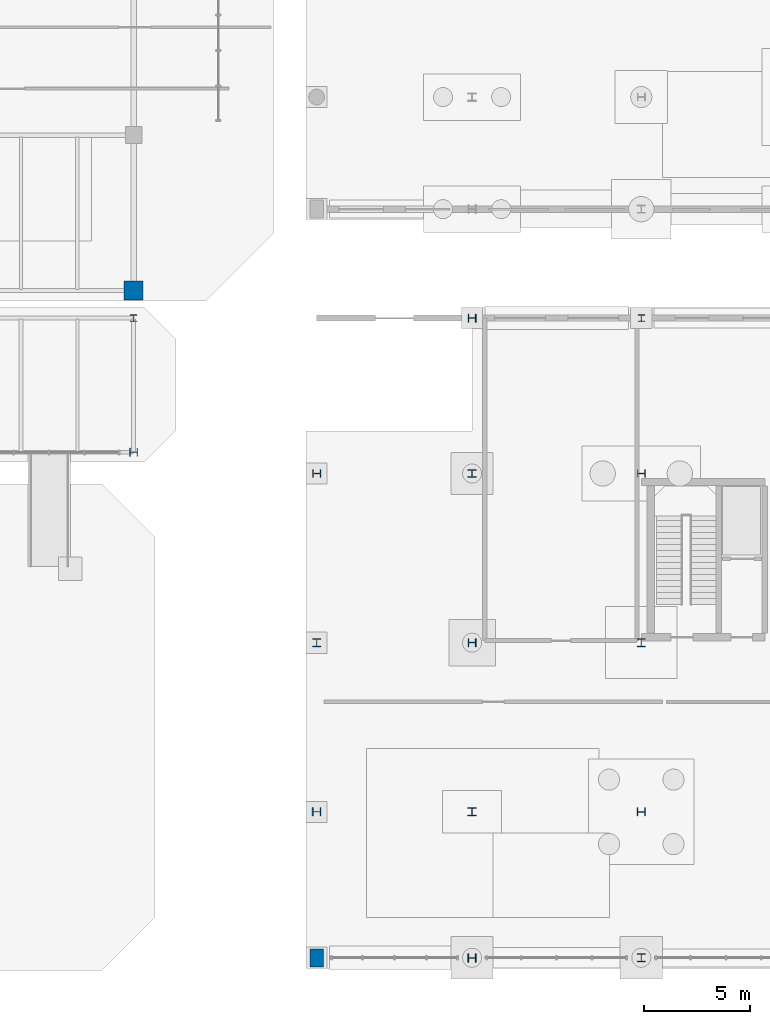
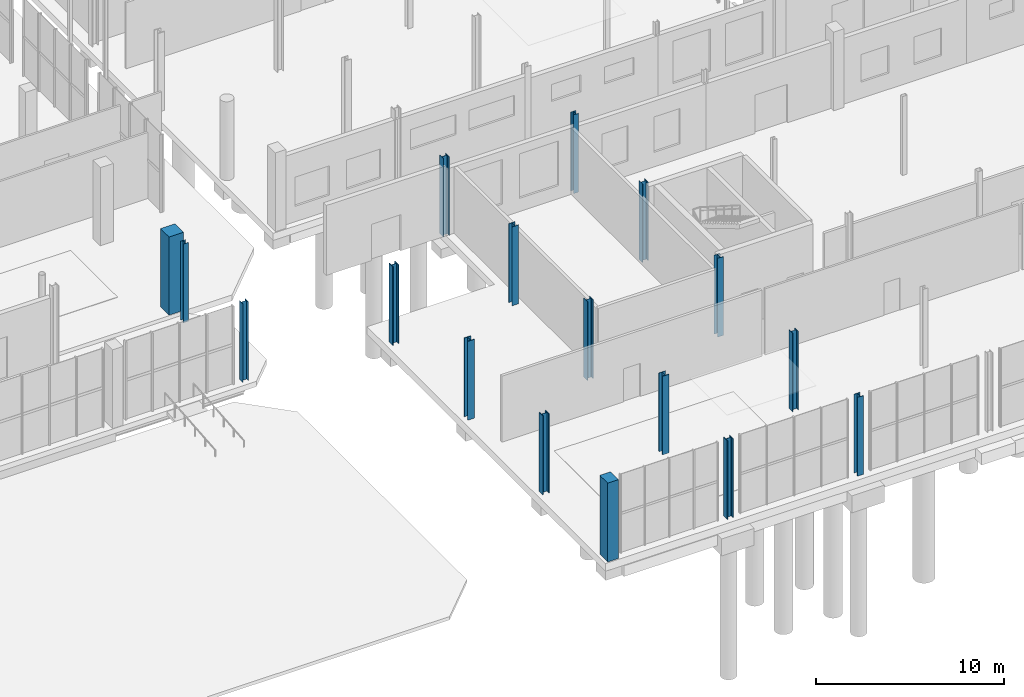
# One storey, part 14 of 87: 17 columns.
"""IFC4 building model written with IfcOpenShell, lengths in metres."""

import ifcopenshell
import ifcopenshell.guid

model = None  # the IFC model being written
_history = None  # IfcOwnerHistory: only IFC2X3 demands one
_inside = {}  # id of a spatial element -> (the spatial element, [elements in it])
_under = {}  # id of a project, library or spatial element -> (it, [spatial elements below it])
_declared = {}  # id of a project -> (the project, [libraries it declares])
_typed = {}  # id of a type object -> (the type object, [elements of that type])
_made_of = {}  # id of a material, layer set ... -> (it, [elements and type objects made of it])


def new_model(schema):
    """Start an empty IFC model of exactly this schema.

    Asked for "IFC4X3", IfcOpenShell would pick the latest addendum, in which some entities
    have other attributes; the version numbers below select the first issue.
    IFC2X3 requires an IfcOwnerHistory on every rooted entity: one is made here for all.
    """
    global model, _history
    if schema == "IFC4X3":
        model = ifcopenshell.file(schema_version=(4, 3, 0, 0))
    else:
        model = ifcopenshell.file(schema=schema)
    _inside.clear()
    _under.clear()
    _declared.clear()
    _typed.clear()
    _made_of.clear()
    _history = None
    if model.schema == "IFC2X3":
        org = make("IfcOrganization", Name="unknown")
        user = make(
            "IfcPersonAndOrganization",
            ThePerson=make("IfcPerson", FamilyName="unknown"),
            TheOrganization=org,
        )
        app = make(
            "IfcApplication",
            ApplicationDeveloper=org,
            Version="unknown",
            ApplicationFullName="unknown",
            ApplicationIdentifier="unknown",
        )
        _history = make(
            "IfcOwnerHistory",
            OwningUser=user,
            OwningApplication=app,
            ChangeAction="ADDED",
            CreationDate=0,
        )
    return model


def make(cls, **values):
    """One entity of the class cls with the attributes given. An attribute that is None is left unset."""
    return model.create_entity(
        cls, **{name: value for name, value in values.items() if value is not None}
    )


def rooted(cls, **values):
    """An entity with a GlobalId (a new one), such as an element, a storey or a relation."""
    return make(cls, GlobalId=ifcopenshell.guid.new(), OwnerHistory=_history, **values)


def si_unit(unit_type, name, prefix=None):
    """IfcSIUnit, for example si_unit("LENGTHUNIT", "METRE", prefix="MILLI")."""
    return make("IfcSIUnit", UnitType=unit_type, Prefix=prefix, Name=name)


def assignment(units):
    """IfcUnitAssignment: the units of a project."""
    return None if units is None else make("IfcUnitAssignment", Units=units)


def point(xyz):
    """IfcCartesianPoint."""
    return None if xyz is None else make("IfcCartesianPoint", Coordinates=xyz)


def direction(xyz):
    """IfcDirection."""
    return None if xyz is None else make("IfcDirection", DirectionRatios=xyz)


def frame(location, z_axis=None, x_axis=None):
    """IfcAxis2Placement3D, a coordinate frame: its origin and axes. An axis left out is left unset."""
    return make(
        "IfcAxis2Placement3D",
        Location=point(location),
        Axis=direction(z_axis),
        RefDirection=direction(x_axis),
    )


def frame_2d(location, x_axis=None):
    """IfcAxis2Placement2D, a coordinate frame in the plane: its origin and x axis."""
    return make(
        "IfcAxis2Placement2D", Location=point(location), RefDirection=direction(x_axis)
    )


def origin():
    """The frame at (0, 0, 0) with its axes left unset."""
    return frame((0.0, 0.0, 0.0))


def origin_2d():
    """The frame at (0, 0) in the plane with its x axis left unset."""
    return frame_2d((0.0, 0.0))


def place(relative_to, where):
    """IfcLocalPlacement: puts the frame where relative to a parent placement (None: the world)."""
    return make(
        "IfcLocalPlacement", PlacementRelTo=relative_to, RelativePlacement=where
    )


def context(
    kind, dimensions, precision=None, world=None, true_north=None, identifier=None
):
    """IfcGeometricRepresentationContext, for example the 3D "Model" context."""
    return make(
        "IfcGeometricRepresentationContext",
        ContextIdentifier=identifier,
        ContextType=kind,
        CoordinateSpaceDimension=dimensions,
        Precision=precision,
        WorldCoordinateSystem=world,
        TrueNorth=true_north,
    )


def subcontext(parent, identifier, kind, view, scale=None):
    """IfcGeometricRepresentationSubContext, for example "Body" below "Model"."""
    return make(
        "IfcGeometricRepresentationSubContext",
        ContextIdentifier=identifier,
        ContextType=kind,
        ParentContext=parent,
        TargetScale=scale,
        TargetView=view,
    )


def project(units=None, contexts=None):
    """IfcProject with its units and contexts."""
    return rooted(
        "IfcProject",
        Name="project",
        RepresentationContexts=contexts,
        UnitsInContext=assignment(units),
    )


def spatial(cls, under=None, at=None, **own):
    """A site, building, storey or space (cls), placed at a placement, below another one or the project."""
    s = rooted(cls, ObjectPlacement=at, **own)
    if under is not None:
        _under.setdefault(under.id(), (under, []))[1].append(s)
    return s


def profile(cls, at=None, kind="AREA", **sizes):
    """A parametric profile (cls). Its sizes go by their IFC names, for example OverallWidth=200.0."""
    return make(cls, ProfileType=kind, Position=at, **sizes)


def rectangle(**sizes):
    """IfcRectangleProfileDef."""
    return profile("IfcRectangleProfileDef", **sizes)


def i_section(**sizes):
    """IfcIShapeProfileDef."""
    return profile("IfcIShapeProfileDef", **sizes)


def extrude(swept, where, along, depth):
    """IfcExtrudedAreaSolid: the profile swept, set in the frame where, extruded along a direction by depth."""
    return make(
        "IfcExtrudedAreaSolid",
        SweptArea=swept,
        Position=where,
        ExtrudedDirection=direction(along),
        Depth=depth,
    )


def shape(context_of_items, identifier, shape_type, items):
    """IfcShapeRepresentation: the items that make up one representation, for example the "Body"."""
    return make(
        "IfcShapeRepresentation",
        ContextOfItems=context_of_items,
        RepresentationIdentifier=identifier,
        RepresentationType=shape_type,
        Items=items,
    )


def material(Name=None, Category=None):
    """IfcMaterial."""
    return make("IfcMaterial", Name=Name, Category=Category)


def material_profile(
    of_material, cross_section, Name=None, Category=None, Priority=None
):
    """IfcMaterialProfile: a cross section and its material."""
    return make(
        "IfcMaterialProfile",
        Name=Name,
        Material=of_material,
        Profile=cross_section,
        Priority=Priority,
        Category=Category,
    )


def profile_set(profiles, Name=None, composite=None):
    """IfcMaterialProfileSet."""
    return make(
        "IfcMaterialProfileSet",
        Name=Name,
        MaterialProfiles=profiles,
        CompositeProfile=composite,
    )


def made_of(thing, what):
    """Note that an element or type object is made of a material, layer set ...; save() writes the relation."""
    if what is not None:
        _made_of.setdefault(what.id(), (what, []))[1].append(thing)
    return thing


def type_object(cls, material=None, **own):
    """A type object (cls), such as IfcWallType, which elements share."""
    return made_of(rooted(cls, **own), material)


def element(
    cls,
    number,
    at=None,
    inside=None,
    cuts=None,
    type_object=None,
    material=None,
    context=None,
    identifier="Body",
    shape_type=None,
    held_by="IfcProductDefinitionShape",
    body=None,
    shapes=None,
    **own,
):
    """One element of the class cls, such as IfcWall. Its Tag is "e" and its number.

    at: its placement. inside: the storey or other place that contains it. cuts: it is an
    opening in that element (IfcRelVoidsElement). A single representation is given by context,
    identifier, shape_type and body (its items); several are given by shapes. held_by: the class
    of the entity that holds the representations. save() writes the other relations.
    """
    e = rooted(cls, Tag="e%d" % number, ObjectPlacement=at, **own)
    if body is not None:
        shapes = [shape(context, identifier, shape_type, body)]
    if shapes is not None:
        e.Representation = make(held_by, Representations=shapes)
    if inside is not None:
        _inside.setdefault(inside.id(), (inside, []))[1].append(e)
    if cuts is not None:
        rooted(
            "IfcRelVoidsElement", RelatingBuildingElement=cuts, RelatedOpeningElement=e
        )
    if type_object is not None:
        _typed.setdefault(type_object.id(), (type_object, []))[1].append(e)
    return made_of(e, material)


def aggregate(whole, parts):
    """IfcRelAggregates: a whole, such as a stair, and the parts it consists of."""
    return rooted("IfcRelAggregates", RelatingObject=whole, RelatedObjects=parts)


def save(model, path):
    """Write the relations noted so far, then the file.

    IfcRelAggregates (storeys below a building ...), IfcRelContainedInSpatialStructure (elements
    in a storey), IfcRelDefinesByType, IfcRelAssociatesMaterial and IfcRelDeclares: one each for
    every whole, place, type object, material and project.
    """
    for whole, parts in _under.values():
        aggregate(whole, parts)
    for where, things in _inside.values():
        rooted(
            "IfcRelContainedInSpatialStructure",
            RelatedElements=things,
            RelatingStructure=where,
        )
    for kind, things in _typed.values():
        rooted("IfcRelDefinesByType", RelatedObjects=things, RelatingType=kind)
    for what, things in _made_of.values():
        rooted("IfcRelAssociatesMaterial", RelatedObjects=things, RelatingMaterial=what)
    for by, libraries in _declared.values():
        rooted("IfcRelDeclares", RelatingContext=by, RelatedDefinitions=libraries)
    model.write(path)


model = new_model("IFC4")

# Units and contexts
model_context = context("Model", 3, precision=1e-05, world=origin(), true_north=direction((0.0, 1.0)))
body_context = subcontext(model_context, "Body", "Model", "MODEL_VIEW")
ifc_project = project(units=[si_unit("LENGTHUNIT", "METRE"), si_unit("AREAUNIT", "SQUARE_METRE"), si_unit("VOLUMEUNIT", "CUBIC_METRE"), si_unit("PLANEANGLEUNIT", "RADIAN"), si_unit("MASSUNIT", "GRAM", prefix="KILO")], contexts=[model_context])

# Site, building, storey
site_placement = place(None, origin())
site = spatial("IfcSite", under=ifc_project, at=site_placement, CompositionType="ELEMENT")
building_placement = place(site_placement, origin())
building = spatial("IfcBuilding", under=site, at=building_placement, Name="Brisemont Oceanarium", CompositionType="ELEMENT")
storey_placement = place(building_placement, origin())
storey = spatial("IfcBuildingStorey", under=building, at=storey_placement, Name="L00", CompositionType="ELEMENT", Elevation=0.0)

# Columns
ifc_material_1 = material(Name="Concrete C40/50", Category="concrete")
ifc_material_profile_1 = material_profile(ifc_material_1, rectangle(XDim=0.89990234375, YDim=0.89990234375, at=origin_2d()), Name="RC-COL-900X900")
ifc_profile_set_1 = profile_set([ifc_material_profile_1], Name="Concrete C40/50")
column_type_1 = type_object("IfcColumnType", Name="COL-RC900", PredefinedType="COLUMN", material=ifc_profile_set_1)
column_1_placement = place(storey_placement, frame((104.0, 32.64990234375, 0.0), z_axis=(0.0, 0.0, 1.0), x_axis=(1.0, 0.0, 0.0)))
element("IfcColumn", 1, at=column_1_placement, inside=storey, type_object=column_type_1, Name="V1 L00 column (6,0)", PredefinedType="COLUMN", context=body_context, shape_type="SweptSolid", body=[
    extrude(rectangle(XDim=0.89990234375, YDim=0.89990234375, at=origin_2d()), origin(), (0.0, 0.0, 1.0), 5.080078125),
])
ifc_material_2 = material(Name="Structural Steel ASTM A992 Gr.50", Category="steel")
ifc_material_profile_2 = material_profile(ifc_material_2, i_section(OverallWidth=0.30810546875, OverallDepth=0.318115234375, WebThickness=0.01318359375, FlangeThickness=0.0205078125, FilletRadius=0.012939453125, at=origin_2d()), Name="W12X87")
ifc_profile_set_2 = profile_set([ifc_material_profile_2], Name="Structural Steel ASTM A992 Gr.50")
column_type_2 = type_object("IfcColumnType", Name="COL-W12X87", PredefinedType="COLUMN", material=ifc_profile_set_2)
for number, where, z_axis, x_axis, name in (
    (2, (104.0, 31.35009765625, 0.0), (0.0, 0.0, 1.0), (1.0, 0.0, 0.0), "V1P L00 column (5,1)"),
    (3, (128.0, 31.35009765625, 0.0), (0.0, 0.0, 1.0), (1.0, 0.0, 0.0), "V3 L00 column (2,4)"),
):
    element("IfcColumn", number, at=place(storey_placement, frame(where, z_axis=z_axis, x_axis=x_axis)), inside=storey, type_object=column_type_2, Name=name, PredefinedType="COLUMN", context=body_context, shape_type="SweptSolid", body=[
        extrude(i_section(OverallWidth=0.30810546875, OverallDepth=0.318115234375, WebThickness=0.01318359375, FlangeThickness=0.0205078125, FilletRadius=0.012939453125, at=origin_2d()), origin(), (0.0, 0.0, 1.0), 5.1201171875),
    ])
ifc_material_3 = material(Name="Structural Steel ASTM A992 Gr.50", Category="steel")
ifc_material_profile_3 = material_profile(ifc_material_3, i_section(OverallWidth=0.37109375, OverallDepth=0.364013671875, WebThickness=0.01318359375, FlangeThickness=0.021728515625, FilletRadius=0.014892578125, at=origin_2d()), Name="W14X109")
ifc_profile_set_3 = profile_set([ifc_material_profile_3], Name="Structural Steel ASTM A992 Gr.50")
column_type_3 = type_object("IfcColumnType", Name="COL-W14X109", PredefinedType="COLUMN", material=ifc_profile_set_3)
column_2_placement = place(storey_placement, frame((128.0, 8.0, 0.0), z_axis=(0.0, 0.0, 1.0), x_axis=(0.0, 1.0, 0.0)))
element("IfcColumn", 4, at=column_2_placement, inside=storey, type_object=column_type_3, Name="V3 L00 column (2,1)", PredefinedType="COLUMN", context=body_context, shape_type="SweptSolid", body=[
    extrude(i_section(OverallWidth=0.37109375, OverallDepth=0.364013671875, WebThickness=0.01318359375, FlangeThickness=0.021728515625, FilletRadius=0.014892578125, at=origin_2d()), origin(), (0.0, 0.0, 1.0), 5.1201171875),
])
ifc_material_4 = material(Name="Structural Steel ASTM A992 Gr.50", Category="steel")
ifc_material_profile_4 = material_profile(ifc_material_4, i_section(OverallWidth=0.373046875, OverallDepth=0.367919921875, WebThickness=0.014892578125, FlangeThickness=0.02392578125, FilletRadius=0.014892578125, at=origin_2d()), Name="W14X120")
ifc_profile_set_4 = profile_set([ifc_material_profile_4], Name="Structural Steel ASTM A992 Gr.50")
column_type_4 = type_object("IfcColumnType", Name="COL-W14X120", PredefinedType="COLUMN", material=ifc_profile_set_4)
column_3_placement = place(storey_placement, frame((128.0, 1.10009765625, 0.0), z_axis=(0.0, 0.0, 1.0), x_axis=(1.0, 0.0, 0.0)))
element("IfcColumn", 5, at=column_3_placement, inside=storey, type_object=column_type_4, Name="V3 L00 column (2,0)", PredefinedType="COLUMN", context=body_context, shape_type="SweptSolid", body=[
    extrude(i_section(OverallWidth=0.373046875, OverallDepth=0.367919921875, WebThickness=0.014892578125, FlangeThickness=0.02392578125, FilletRadius=0.014892578125, at=origin_2d()), origin(), (0.0, 0.0, 1.0), 5.1201171875),
])
ifc_material_5 = material(Name="Structural Steel ASTM A992 Gr.50", Category="steel")
ifc_material_profile_5 = material_profile(ifc_material_5, i_section(OverallWidth=0.3740234375, OverallDepth=0.3720703125, WebThickness=0.016357421875, FlangeThickness=0.026123046875, FilletRadius=0.014892578125, at=origin_2d()), Name="W14X132")
ifc_profile_set_5 = profile_set([ifc_material_profile_5], Name="Structural Steel ASTM A992 Gr.50")
column_type_5 = type_object("IfcColumnType", Name="COL-W14X132", PredefinedType="COLUMN", material=ifc_profile_set_5)
column_4_placement = place(storey_placement, frame((120.0, 31.35009765625, 0.0), z_axis=(0.0, 0.0, 1.0), x_axis=(0.0, 1.0, 0.0)))
element("IfcColumn", 6, at=column_4_placement, inside=storey, type_object=column_type_5, Name="V3 L00 column (1,4)", PredefinedType="COLUMN", context=body_context, shape_type="SweptSolid", body=[
    extrude(i_section(OverallWidth=0.3740234375, OverallDepth=0.3720703125, WebThickness=0.016357421875, FlangeThickness=0.026123046875, FilletRadius=0.014892578125, at=origin_2d()), origin(), (0.0, 0.0, 1.0), 5.1201171875),
])
ifc_material_6 = material(Name="Structural Steel ASTM A992 Gr.50", Category="steel")
ifc_material_profile_6 = material_profile(ifc_material_6, i_section(OverallWidth=0.39404296875, OverallDepth=0.3759765625, WebThickness=0.017333984375, FlangeThickness=0.027587890625, FilletRadius=0.014892578125, at=origin_2d()), Name="W14X145")
ifc_profile_set_6 = profile_set([ifc_material_profile_6], Name="Structural Steel ASTM A992 Gr.50")
column_type_6 = type_object("IfcColumnType", Name="COL-W14X145", PredefinedType="COLUMN", material=ifc_profile_set_6)
column_5_placement = place(storey_placement, frame((120.0, 24.0, 0.0), z_axis=(0.0, 0.0, 1.0), x_axis=(1.0, 0.0, 0.0)))
element("IfcColumn", 7, at=column_5_placement, inside=storey, type_object=column_type_6, Name="V3 L00 column (1,3)", PredefinedType="COLUMN", context=body_context, shape_type="SweptSolid", body=[
    extrude(i_section(OverallWidth=0.39404296875, OverallDepth=0.3759765625, WebThickness=0.017333984375, FlangeThickness=0.027587890625, FilletRadius=0.014892578125, at=origin_2d()), origin(), (0.0, 0.0, 1.0), 5.1201171875),
])
ifc_material_7 = material(Name="Structural Steel ASTM A992 Gr.50", Category="steel")
ifc_material_profile_7 = material_profile(ifc_material_7, i_section(OverallWidth=0.39501953125, OverallDepth=0.3798828125, WebThickness=0.018798828125, FlangeThickness=0.0302734375, FilletRadius=0.014892578125, at=origin_2d()), Name="W14X159")
ifc_profile_set_7 = profile_set([ifc_material_profile_7], Name="Structural Steel ASTM A992 Gr.50")
column_type_7 = type_object("IfcColumnType", Name="COL-W14X159", PredefinedType="COLUMN", material=ifc_profile_set_7)
column_6_placement = place(storey_placement, frame((120.0, 16.0, 0.0), z_axis=(0.0, 0.0, 1.0), x_axis=(0.0, 1.0, 0.0)))
element("IfcColumn", 8, at=column_6_placement, inside=storey, type_object=column_type_7, Name="V3 L00 column (1,2)", PredefinedType="COLUMN", context=body_context, shape_type="SweptSolid", body=[
    extrude(i_section(OverallWidth=0.39501953125, OverallDepth=0.3798828125, WebThickness=0.018798828125, FlangeThickness=0.0302734375, FilletRadius=0.014892578125, at=origin_2d()), origin(), (0.0, 0.0, 1.0), 5.1201171875),
])
ifc_material_8 = material(Name="Structural Steel ASTM A992 Gr.50", Category="steel")
ifc_material_profile_8 = material_profile(ifc_material_8, i_section(OverallWidth=0.39892578125, OverallDepth=0.385986328125, WebThickness=0.02099609375, FlangeThickness=0.033203125, FilletRadius=0.014892578125, at=origin_2d()), Name="W14X176")
ifc_profile_set_8 = profile_set([ifc_material_profile_8], Name="Structural Steel ASTM A992 Gr.50")
column_type_8 = type_object("IfcColumnType", Name="COL-W14X176", PredefinedType="COLUMN", material=ifc_profile_set_8)
column_7_placement = place(storey_placement, frame((120.0, 8.0, 0.0), z_axis=(0.0, 0.0, 1.0), x_axis=(1.0, 0.0, 0.0)))
element("IfcColumn", 9, at=column_7_placement, inside=storey, type_object=column_type_8, Name="V3 L00 column (1,1)", PredefinedType="COLUMN", context=body_context, shape_type="SweptSolid", body=[
    extrude(i_section(OverallWidth=0.39892578125, OverallDepth=0.385986328125, WebThickness=0.02099609375, FlangeThickness=0.033203125, FilletRadius=0.014892578125, at=origin_2d()), origin(), (0.0, 0.0, 1.0), 5.1201171875),
])
ifc_material_9 = material(Name="Structural Steel ASTM A992 Gr.50", Category="steel")
ifc_material_profile_9 = material_profile(ifc_material_9, i_section(OverallWidth=0.39990234375, OverallDepth=0.39306640625, WebThickness=0.022705078125, FlangeThickness=0.03662109375, FilletRadius=0.014892578125, at=origin_2d()), Name="W14X193")
ifc_profile_set_9 = profile_set([ifc_material_profile_9], Name="Structural Steel ASTM A992 Gr.50")
column_type_9 = type_object("IfcColumnType", Name="COL-W14X193", PredefinedType="COLUMN", material=ifc_profile_set_9)
column_8_placement = place(storey_placement, frame((120.0, 1.10009765625, 0.0), z_axis=(0.0, 0.0, 1.0), x_axis=(0.0, 1.0, 0.0)))
element("IfcColumn", 10, at=column_8_placement, inside=storey, type_object=column_type_9, Name="V3 L00 column (1,0)", PredefinedType="COLUMN", context=body_context, shape_type="SweptSolid", body=[
    extrude(i_section(OverallWidth=0.39990234375, OverallDepth=0.39306640625, WebThickness=0.022705078125, FlangeThickness=0.03662109375, FilletRadius=0.014892578125, at=origin_2d()), origin(), (0.0, 0.0, 1.0), 5.1201171875),
])
ifc_material_10 = material(Name="Structural Steel ASTM A992 Gr.50", Category="steel")
ifc_material_profile_10 = material_profile(ifc_material_10, i_section(OverallWidth=0.40087890625, OverallDepth=0.39892578125, WebThickness=0.02490234375, FlangeThickness=0.03955078125, FilletRadius=0.014892578125, at=origin_2d()), Name="W14X211")
ifc_profile_set_10 = profile_set([ifc_material_profile_10], Name="Structural Steel ASTM A992 Gr.50")
column_type_10 = type_object("IfcColumnType", Name="COL-W14X211", PredefinedType="COLUMN", material=ifc_profile_set_10)
column_9_placement = place(storey_placement, frame((112.64990234375, 24.0, 0.0), z_axis=(0.0, 0.0, 1.0), x_axis=(0.0, 1.0, 0.0)))
element("IfcColumn", 11, at=column_9_placement, inside=storey, type_object=column_type_10, Name="V3 L00 column (0,3)", PredefinedType="COLUMN", context=body_context, shape_type="SweptSolid", body=[
    extrude(i_section(OverallWidth=0.40087890625, OverallDepth=0.39892578125, WebThickness=0.02490234375, FlangeThickness=0.03955078125, FilletRadius=0.014892578125, at=origin_2d()), origin(), (0.0, 0.0, 1.0), 5.1201171875),
])
ifc_material_11 = material(Name="Structural Steel ASTM A992 Gr.50", Category="steel")
ifc_material_profile_11 = material_profile(ifc_material_11, i_section(OverallWidth=0.404052734375, OverallDepth=0.406982421875, WebThickness=0.027099609375, FlangeThickness=0.043701171875, FilletRadius=0.014892578125, at=origin_2d()), Name="W14X233")
ifc_profile_set_11 = profile_set([ifc_material_profile_11], Name="Structural Steel ASTM A992 Gr.50")
column_type_11 = type_object("IfcColumnType", Name="COL-W14X233", PredefinedType="COLUMN", material=ifc_profile_set_11)
column_10_placement = place(storey_placement, frame((112.64990234375, 16.0, 0.0), z_axis=(0.0, 0.0, 1.0), x_axis=(1.0, 0.0, 0.0)))
element("IfcColumn", 12, at=column_10_placement, inside=storey, type_object=column_type_11, Name="V3 L00 column (0,2)", PredefinedType="COLUMN", context=body_context, shape_type="SweptSolid", body=[
    extrude(i_section(OverallWidth=0.404052734375, OverallDepth=0.406982421875, WebThickness=0.027099609375, FlangeThickness=0.043701171875, FilletRadius=0.014892578125, at=origin_2d()), origin(), (0.0, 0.0, 1.0), 5.1201171875),
])
ifc_material_12 = material(Name="Structural Steel ASTM A992 Gr.50", Category="steel")
ifc_material_profile_12 = material_profile(ifc_material_12, i_section(OverallWidth=0.406005859375, OverallDepth=0.416015625, WebThickness=0.02978515625, FlangeThickness=0.048095703125, FilletRadius=0.014892578125, at=origin_2d()), Name="W14X257")
ifc_profile_set_12 = profile_set([ifc_material_profile_12], Name="Structural Steel ASTM A992 Gr.50")
column_type_12 = type_object("IfcColumnType", Name="COL-W14X257", PredefinedType="COLUMN", material=ifc_profile_set_12)
column_11_placement = place(storey_placement, frame((112.64990234375, 8.0, 0.0), z_axis=(0.0, 0.0, 1.0), x_axis=(0.0, 1.0, 0.0)))
element("IfcColumn", 13, at=column_11_placement, inside=storey, type_object=column_type_12, Name="V3 L00 column (0,1)", PredefinedType="COLUMN", context=body_context, shape_type="SweptSolid", body=[
    extrude(i_section(OverallWidth=0.406005859375, OverallDepth=0.416015625, WebThickness=0.02978515625, FlangeThickness=0.048095703125, FilletRadius=0.014892578125, at=origin_2d()), origin(), (0.0, 0.0, 1.0), 5.1201171875),
])
ifc_material_13 = material(Name="Structural Steel ASTM A992 Gr.50", Category="steel")
ifc_material_profile_13 = material_profile(ifc_material_13, i_section(OverallWidth=0.367919921875, OverallDepth=0.35595703125, WebThickness=0.01123046875, FlangeThickness=0.01806640625, FilletRadius=0.014892578125, at=origin_2d()), Name="W14X90")
ifc_profile_set_13 = profile_set([ifc_material_profile_13], Name="Structural Steel ASTM A992 Gr.50")
column_type_13 = type_object("IfcColumnType", Name="COL-W14X90", PredefinedType="COLUMN", material=ifc_profile_set_13)
for number, where, z_axis, x_axis, name in (
    (14, (104.0, 25.0, 0.0), (0.0, 0.0, 1.0), (0.0, 1.0, 0.0), "V1P L00 column (5,0)"),
    (15, (128.0, 24.0, 0.0), (0.0, 0.0, 1.0), (0.0, 1.0, 0.0), "V3 L00 column (2,3)"),
):
    element("IfcColumn", number, at=place(storey_placement, frame(where, z_axis=z_axis, x_axis=x_axis)), inside=storey, type_object=column_type_13, Name=name, PredefinedType="COLUMN", context=body_context, shape_type="SweptSolid", body=[
        extrude(i_section(OverallWidth=0.367919921875, OverallDepth=0.35595703125, WebThickness=0.01123046875, FlangeThickness=0.01806640625, FilletRadius=0.014892578125, at=origin_2d()), origin(), (0.0, 0.0, 1.0), 5.1201171875),
    ])
ifc_material_14 = material(Name="Structural Steel ASTM A992 Gr.50", Category="steel")
ifc_material_profile_14 = material_profile(ifc_material_14, i_section(OverallWidth=0.37109375, OverallDepth=0.361083984375, WebThickness=0.01220703125, FlangeThickness=0.019775390625, FilletRadius=0.014892578125, at=origin_2d()), Name="W14X99")
ifc_profile_set_14 = profile_set([ifc_material_profile_14], Name="Structural Steel ASTM A992 Gr.50")
column_type_14 = type_object("IfcColumnType", Name="COL-W14X99", PredefinedType="COLUMN", material=ifc_profile_set_14)
column_12_placement = place(storey_placement, frame((128.0, 16.0, 0.0), z_axis=(0.0, 0.0, 1.0), x_axis=(1.0, 0.0, 0.0)))
element("IfcColumn", 16, at=column_12_placement, inside=storey, type_object=column_type_14, Name="V3 L00 column (2,2)", PredefinedType="COLUMN", context=body_context, shape_type="SweptSolid", body=[
    extrude(i_section(OverallWidth=0.37109375, OverallDepth=0.361083984375, WebThickness=0.01220703125, FlangeThickness=0.019775390625, FilletRadius=0.014892578125, at=origin_2d()), origin(), (0.0, 0.0, 1.0), 5.1201171875),
])
ifc_material_15 = material(Name="Precast Concrete C40/50", Category="concrete")
ifc_material_profile_15 = material_profile(ifc_material_15, rectangle(XDim=0.64990234375, YDim=0.85009765625, at=origin_2d()), Name="RC-PIL-650X850")
ifc_profile_set_15 = profile_set([ifc_material_profile_15], Name="Precast Concrete C40/50")
column_type_15 = type_object("IfcColumnType", Name="PIL-RC650X850", PredefinedType="PILASTER", material=ifc_profile_set_15)
column_13_placement = place(storey_placement, frame((112.64990234375, 1.10009765625, 0.0), z_axis=(0.0, 0.0, 1.0), x_axis=(1.0, 0.0, 0.0)))
element("IfcColumn", 17, at=column_13_placement, inside=storey, type_object=column_type_15, Name="V3 L00 column (0,0)", PredefinedType="PILASTER", context=body_context, shape_type="SweptSolid", body=[
    extrude(rectangle(XDim=0.64990234375, YDim=0.85009765625, at=origin_2d()), origin(), (0.0, 0.0, 1.0), 5.1201171875),
])

save(model, "model.ifc")
